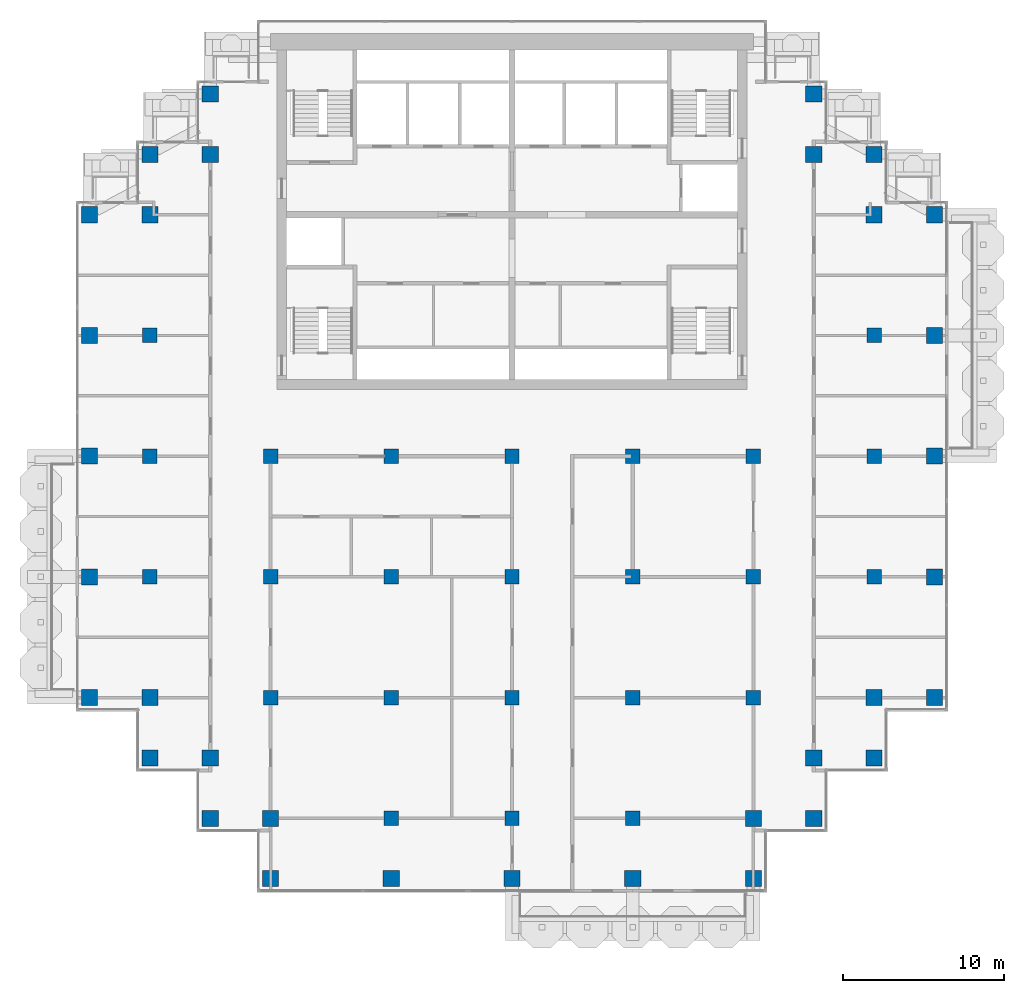
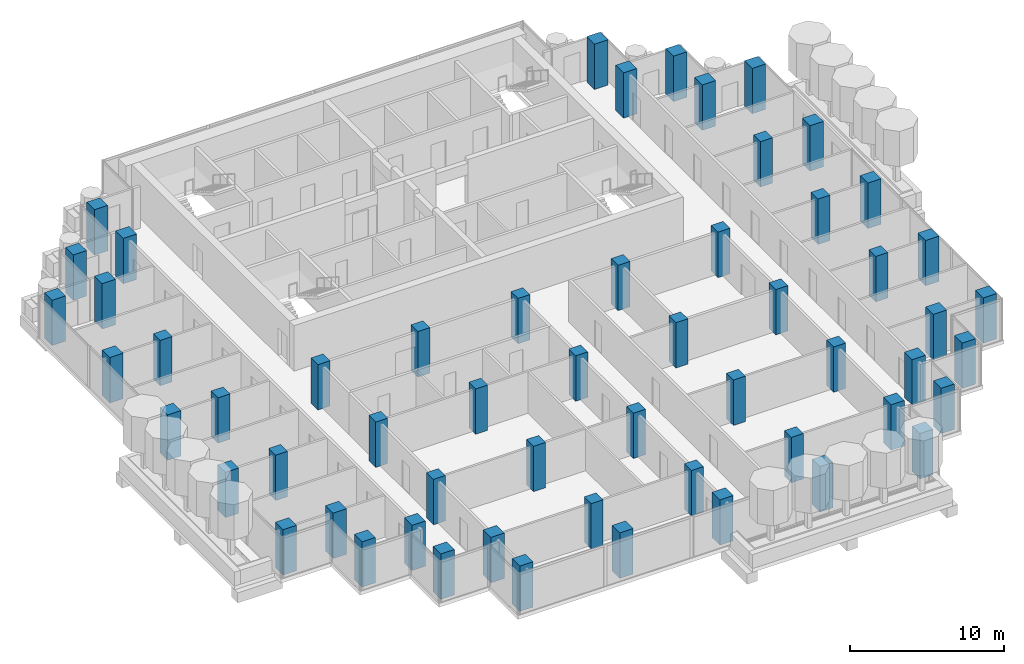
# One storey, part 1 of 19: 57 columns.
"""IFC4 building model written with IfcOpenShell, lengths in metres."""

from ifc_helpers import new_model, si_unit, direction, frame, origin, origin_2d, place, context, subcontext, project, spatial, rectangle, extrude, material, material_profile, profile_set, type_object, element, save


model = new_model("IFC4")

# Units and contexts
model_context = context("Model", 3, precision=1e-05, world=origin(), true_north=direction((0.0, 1.0)))
body_context = subcontext(model_context, "Body", "Model", "MODEL_VIEW")
ifc_project = project(units=[si_unit("LENGTHUNIT", "METRE"), si_unit("AREAUNIT", "SQUARE_METRE"), si_unit("VOLUMEUNIT", "CUBIC_METRE"), si_unit("PLANEANGLEUNIT", "RADIAN"), si_unit("MASSUNIT", "GRAM", prefix="KILO")], contexts=[model_context])

# Site, building, storey
site_placement = place(None, origin())
site = spatial("IfcSite", under=ifc_project, at=site_placement, CompositionType="ELEMENT")
building_placement = place(site_placement, origin())
building = spatial("IfcBuilding", under=site, at=building_placement, Name="Pilkhan Gate Tower", CompositionType="ELEMENT")
storey_placement = place(building_placement, frame((0.0, 0.0, 224.699951171875)))
storey = spatial("IfcBuildingStorey", under=building, at=storey_placement, Name="L58", CompositionType="ELEMENT", Elevation=224.699951171875)

# Columns
ifc_material = material(Name="Concrete C50/60", Category="concrete")
ifc_material_profile_1 = material_profile(ifc_material, rectangle(XDim=1.0, YDim=1.0, at=origin_2d()), Name="RC 1000x1000")
ifc_profile_set_1 = profile_set([ifc_material_profile_1], Name="Concrete C50/60")
column_type_1 = type_object("IfcColumnType", Name="Column C100 RC 1000x1000 C50/60", PredefinedType="COLUMN", material=ifc_profile_set_1)
for number, where, z_axis, x_axis, name in (
    (1, (48.75, 52.5, 0.0), (0.0, 0.0, 1.0), (1.0, 0.0, 0.0), "Column 4/D L58"),
    (2, (48.75, 60.0, 0.0), (0.0, 0.0, 1.0), (1.0, 0.0, 0.0), "Column 4/F L58"),
    (3, (48.75, 67.5, 0.0), (0.0, 0.0, 1.0), (1.0, 0.0, 0.0), "Column 4/H L58"),
    (4, (48.75, 75.0, 0.0), (0.0, 0.0, 1.0), (1.0, 0.0, 0.0), "Column 4/K L58"),
    (5, (48.75, 82.5, 0.0), (0.0, 0.0, 1.0), (1.0, 0.0, 0.0), "Column 4/M L58"),
    (6, (52.5, 48.75, 0.0), (0.0, 0.0, 1.0), (1.0, 0.0, 0.0), "Column 5/C L58"),
    (7, (52.5, 52.5, 0.0), (0.0, 0.0, 1.0), (1.0, 0.0, 0.0), "Column 5/D L58"),
    (8, (52.5, 82.5, 0.0), (0.0, 0.0, 1.0), (1.0, 0.0, 0.0), "Column 5/M L58"),
    (9, (52.5, 86.25, 0.0), (0.0, 0.0, 1.0), (1.0, 0.0, 0.0), "Column 5/N L58"),
    (10, (56.25, 45.0, 0.0), (0.0, 0.0, 1.0), (1.0, 0.0, 0.0), "Column 6/B L58"),
    (11, (56.25, 48.75, 0.0), (0.0, 0.0, 1.0), (1.0, 0.0, 0.0), "Column 6/C L58"),
    (12, (56.25, 86.25, 0.0), (0.0, 0.0, 1.0), (1.0, 0.0, 0.0), "Column 6/N L58"),
    (13, (56.25, 90.0, 0.0), (0.0, 0.0, 1.0), (1.0, 0.0, 0.0), "Column 6/P L58"),
    (14, (60.0, 41.25, 0.0), (0.0, 0.0, 1.0), (1.0, 0.0, 0.0), "Column 7/A L58"),
    (15, (60.0, 45.0, 0.0), (0.0, 0.0, 1.0), (1.0, 0.0, 0.0), "Column 7/B L58"),
    (16, (67.5, 41.25, 0.0), (0.0, 0.0, 1.0), (1.0, 0.0, 0.0), "Column 9/A L58"),
    (17, (75.0, 41.25, 0.0), (0.0, 0.0, 1.0), (1.0, 0.0, 0.0), "Column 11/A L58"),
    (18, (82.5, 41.25, 0.0), (0.0, 0.0, 1.0), (1.0, 0.0, 0.0), "Column 13/A L58"),
    (19, (90.0, 41.25, 0.0), (0.0, 0.0, 1.0), (1.0, 0.0, 0.0), "Column 15/A L58"),
    (20, (90.0, 45.0, 0.0), (0.0, 0.0, 1.0), (1.0, 0.0, 0.0), "Column 15/B L58"),
    (21, (93.75, 45.0, 0.0), (0.0, 0.0, 1.0), (1.0, 0.0, 0.0), "Column 16/B L58"),
    (22, (93.75, 48.75, 0.0), (0.0, 0.0, 1.0), (1.0, 0.0, 0.0), "Column 16/C L58"),
    (23, (93.75, 86.25, 0.0), (0.0, 0.0, 1.0), (1.0, 0.0, 0.0), "Column 16/N L58"),
    (24, (93.75, 90.0, 0.0), (0.0, 0.0, 1.0), (1.0, 0.0, 0.0), "Column 16/P L58"),
    (25, (97.5, 48.75, 0.0), (0.0, 0.0, 1.0), (1.0, 0.0, 0.0), "Column 17/C L58"),
    (26, (97.5, 52.5, 0.0), (0.0, 0.0, 1.0), (1.0, 0.0, 0.0), "Column 17/D L58"),
    (27, (97.5, 82.5, 0.0), (0.0, 0.0, 1.0), (1.0, 0.0, 0.0), "Column 17/M L58"),
    (28, (97.5, 86.25, 0.0), (0.0, 0.0, 1.0), (1.0, 0.0, 0.0), "Column 17/N L58"),
    (29, (101.25, 52.5, 0.0), (0.0, 0.0, 1.0), (1.0, 0.0, 0.0), "Column 18/D L58"),
    (30, (101.25, 60.0, 0.0), (0.0, 0.0, 1.0), (1.0, 0.0, 0.0), "Column 18/F L58"),
    (31, (101.25, 67.5, 0.0), (0.0, 0.0, 1.0), (1.0, 0.0, 0.0), "Column 18/H L58"),
    (32, (101.25, 75.0, 0.0), (0.0, 0.0, 1.0), (1.0, 0.0, 0.0), "Column 18/K L58"),
    (33, (101.25, 82.5, 0.0), (0.0, 0.0, 1.0), (1.0, 0.0, 0.0), "Column 18/M L58"),
):
    element("IfcColumn", number, at=place(storey_placement, frame(where, z_axis=z_axis, x_axis=x_axis)), inside=storey, type_object=column_type_1, Name=name, PredefinedType="COLUMN", context=body_context, shape_type="SweptSolid", body=[
        extrude(rectangle(XDim=1.0, YDim=1.0, at=origin_2d()), origin(), (0.0, 0.0, 1.0), 3.60009765625),
    ])
ifc_material_profile_2 = material_profile(ifc_material, rectangle(XDim=0.89990234375, YDim=0.89990234375, at=origin_2d()), Name="RC 900x900")
ifc_profile_set_2 = profile_set([ifc_material_profile_2], Name="Concrete C50/60")
column_type_2 = type_object("IfcColumnType", Name="Column C90 RC 900x900 C50/60", PredefinedType="COLUMN", material=ifc_profile_set_2)
for number, where, z_axis, x_axis, name in (
    (34, (52.5, 60.0, 0.0), (0.0, 0.0, 1.0), (1.0, 0.0, 0.0), "Column 5/F L58"),
    (35, (52.5, 67.5, 0.0), (0.0, 0.0, 1.0), (1.0, 0.0, 0.0), "Column 5/H L58"),
    (36, (52.5, 75.0, 0.0), (0.0, 0.0, 1.0), (1.0, 0.0, 0.0), "Column 5/K L58"),
    (37, (60.0, 52.5, 0.0), (0.0, 0.0, 1.0), (1.0, 0.0, 0.0), "Column 7/D L58"),
    (38, (60.0, 60.0, 0.0), (0.0, 0.0, 1.0), (1.0, 0.0, 0.0), "Column 7/F L58"),
    (39, (60.0, 67.5, 0.0), (0.0, 0.0, 1.0), (1.0, 0.0, 0.0), "Column 7/H L58"),
    (40, (67.5, 45.0, 0.0), (0.0, 0.0, 1.0), (1.0, 0.0, 0.0), "Column 9/B L58"),
    (41, (67.5, 52.5, 0.0), (0.0, 0.0, 1.0), (1.0, 0.0, 0.0), "Column 9/D L58"),
    (42, (67.5, 60.0, 0.0), (0.0, 0.0, 1.0), (1.0, 0.0, 0.0), "Column 9/F L58"),
    (43, (67.5, 67.5, 0.0), (0.0, 0.0, 1.0), (1.0, 0.0, 0.0), "Column 9/H L58"),
    (44, (75.0, 45.0, 0.0), (0.0, 0.0, 1.0), (1.0, 0.0, 0.0), "Column 11/B L58"),
    (45, (75.0, 52.5, 0.0), (0.0, 0.0, 1.0), (1.0, 0.0, 0.0), "Column 11/D L58"),
    (46, (75.0, 60.0, 0.0), (0.0, 0.0, 1.0), (1.0, 0.0, 0.0), "Column 11/F L58"),
    (47, (75.0, 67.5, 0.0), (0.0, 0.0, 1.0), (1.0, 0.0, 0.0), "Column 11/H L58"),
    (48, (82.5, 45.0, 0.0), (0.0, 0.0, 1.0), (1.0, 0.0, 0.0), "Column 13/B L58"),
    (49, (82.5, 52.5, 0.0), (0.0, 0.0, 1.0), (1.0, 0.0, 0.0), "Column 13/D L58"),
    (50, (82.5, 60.0, 0.0), (0.0, 0.0, 1.0), (1.0, 0.0, 0.0), "Column 13/F L58"),
    (51, (82.5, 67.5, 0.0), (0.0, 0.0, 1.0), (1.0, 0.0, 0.0), "Column 13/H L58"),
    (52, (90.0, 52.5, 0.0), (0.0, 0.0, 1.0), (1.0, 0.0, 0.0), "Column 15/D L58"),
    (53, (90.0, 60.0, 0.0), (0.0, 0.0, 1.0), (1.0, 0.0, 0.0), "Column 15/F L58"),
    (54, (90.0, 67.5, 0.0), (0.0, 0.0, 1.0), (1.0, 0.0, 0.0), "Column 15/H L58"),
    (55, (97.5, 60.0, 0.0), (0.0, 0.0, 1.0), (1.0, 0.0, 0.0), "Column 17/F L58"),
    (56, (97.5, 67.5, 0.0), (0.0, 0.0, 1.0), (1.0, 0.0, 0.0), "Column 17/H L58"),
    (57, (97.5, 75.0, 0.0), (0.0, 0.0, 1.0), (1.0, 0.0, 0.0), "Column 17/K L58"),
):
    element("IfcColumn", number, at=place(storey_placement, frame(where, z_axis=z_axis, x_axis=x_axis)), inside=storey, type_object=column_type_2, Name=name, PredefinedType="COLUMN", context=body_context, shape_type="SweptSolid", body=[
        extrude(rectangle(XDim=0.89990234375, YDim=0.89990234375, at=origin_2d()), origin(), (0.0, 0.0, 1.0), 3.60009765625),
    ])

save(model, "model.ifc")
